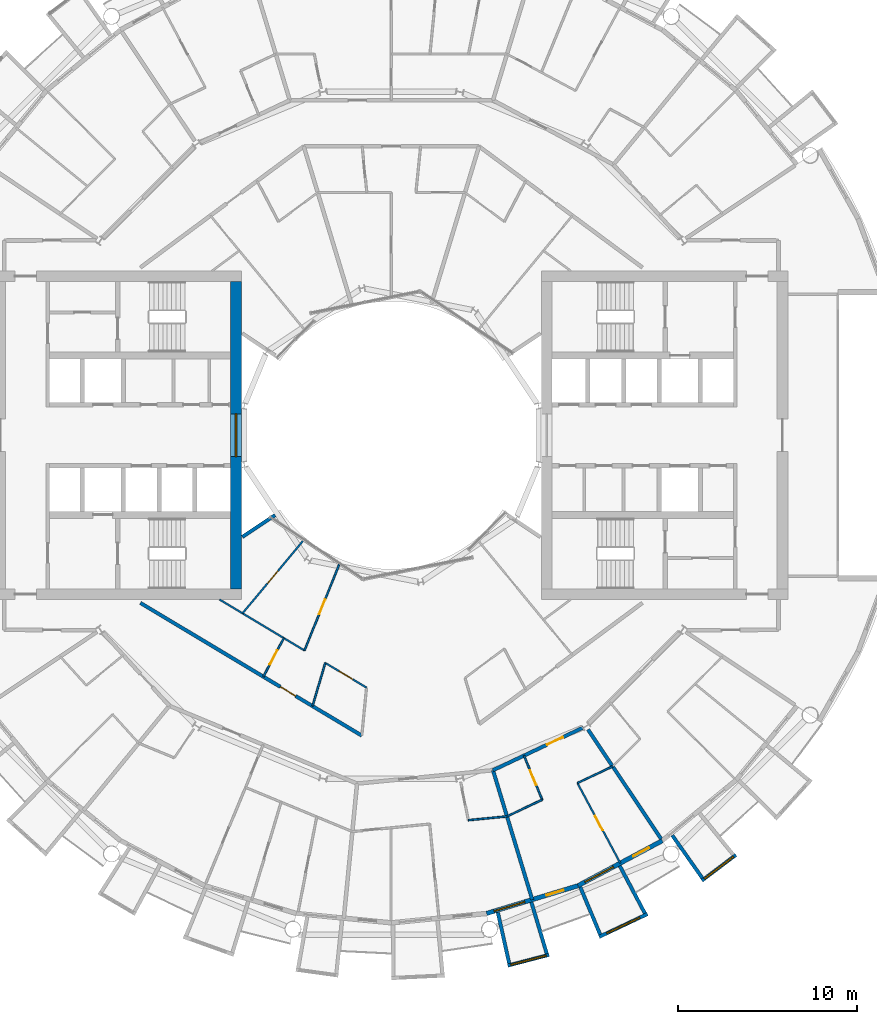
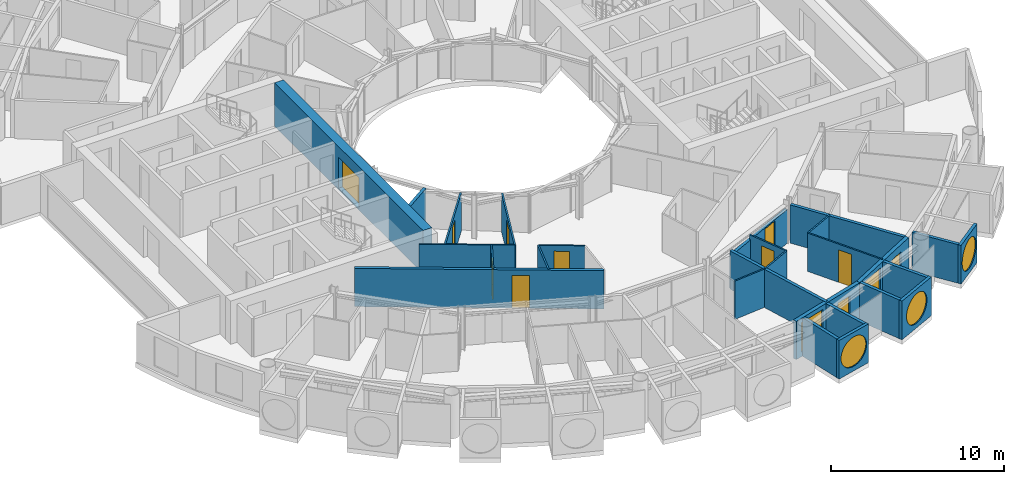
# One storey, part 16 of 27: 27 walls, 10 doors, 6 windows, 16 openings.
"""IFC4 building model written with IfcOpenShell, lengths in metres."""

from ifc_helpers import new_model, si_unit, direction, frame, frame_2d, origin, place, context, subcontext, project, spatial, rectangle, circle, extrude, material, layer, layer_set, type_object, element, fill, save


model = new_model("IFC4")

# Units and contexts
model_context = context("Model", 3, precision=1e-05, world=origin(), true_north=direction((0.0, 1.0)))
body_context = subcontext(model_context, "Body", "Model", "MODEL_VIEW")
ifc_project = project(units=[si_unit("LENGTHUNIT", "METRE"), si_unit("AREAUNIT", "SQUARE_METRE"), si_unit("VOLUMEUNIT", "CUBIC_METRE"), si_unit("PLANEANGLEUNIT", "RADIAN"), si_unit("MASSUNIT", "GRAM", prefix="KILO")], contexts=[model_context])

# Site, building, storey
site_placement = place(None, origin())
site = spatial("IfcSite", under=ifc_project, at=site_placement, CompositionType="ELEMENT")
building_placement = place(site_placement, origin())
building = spatial("IfcBuilding", under=site, at=building_placement, Name="Maasbend Ring Residences", CompositionType="ELEMENT")
storey_placement = place(building_placement, frame((0.0, 0.0, 117.75)))
storey = spatial("IfcBuildingStorey", under=building, at=storey_placement, Name="L33", CompositionType="ELEMENT", Elevation=117.75)

# Wall, opening, window
ifc_material_1 = material(Name="Concrete C60/75", Category="concrete")
ifc_layer_1 = layer(ifc_material_1, 0.60009765625)
ifc_layer_set_1 = layer_set([ifc_layer_1], Name="Concrete C60/75")
wall_type_1 = type_object("IfcWallType", Name="CORE WALL 600 C60/75", PredefinedType="SHEAR", material=ifc_layer_set_1)
wall_1_placement = place(storey_placement, frame((-8.699951171875, 8.60009765625, 0.0), z_axis=(0.0, 0.0, 1.0), x_axis=(0.0, -1.0, 0.0)))
wall_1 = element("IfcWall", 1, at=wall_1_placement, inside=storey, type_object=wall_type_1, Name="L33 core W wall PIN", PredefinedType="SHEAR", context=body_context, shape_type="SweptSolid", body=[
    extrude(rectangle(XDim=17.2001953125, YDim=0.60009765625, at=frame_2d((8.60009765625, 0.0))), origin(), (0.0, 0.0, 1.0), 3.050048828125),
])
opening_1_placement = place(wall_1_placement, frame((7.39990234375, 0.0, 0.10009765625)))
opening_1 = element("IfcOpeningElement", 2, at=opening_1_placement, cuts=wall_1, Name="Opening W-W3301", PredefinedType="OPENING", context=body_context, shape_type="SweptSolid", body=[
    extrude(rectangle(XDim=2.39990234375, YDim=2.199951171875, at=frame_2d((1.199951171875, 1.10009765625))), frame((0.0, 0.31005859375, 0.0), z_axis=(0.0, -1.0, 0.0), x_axis=(1.0, 0.0, 0.0)), (0.0, 0.0, 1.0), 0.6201171875),
])
ifc_material_2 = material(Name="Aluminium frame and clear glass", Category="aluminium")
window_type_1 = type_object("IfcWindowType", Name="FIXED WINDOW 2400 X 2200", PartitioningType="SINGLE_PANEL", PredefinedType="WINDOW", material=ifc_material_2)
window_1_placement = place(opening_1_placement, origin())
window_1 = element("IfcWindow", 3, at=window_1_placement, inside=storey, type_object=window_type_1, Name="Lobby window L33", OverallHeight=2.199951171875, OverallWidth=2.39990234375, PartitioningType="SINGLE_PANEL", PredefinedType="WINDOW", context=body_context, shape_type="SweptSolid", body=[
    extrude(rectangle(XDim=2.39990234375, YDim=2.199951171875, at=frame_2d((1.199951171875, 1.10009765625))), frame((0.0, 0.030029296875, 0.0), z_axis=(0.0, -1.0, 0.0), x_axis=(1.0, 0.0, 0.0)), (0.0, 0.0, 1.0), 0.06005859375),
])
fill(opening_1, window_1)

# Wall, opening, door
ifc_material_3 = material(Name="Concrete C30/37", Category="concrete")
ifc_layer_2 = layer(ifc_material_3, 0.199951171875)
ifc_layer_set_2 = layer_set([ifc_layer_2], Name="Concrete C30/37")
wall_type_2 = type_object("IfcWallType", Name="CORRIDOR WALL 200 CONCRETE", PredefinedType="PARTITIONING", material=ifc_layer_set_2)
wall_2_placement = place(storey_placement, frame((5.68603515625, -18.758056640625, 0.0), z_axis=(0.0, 0.0, 1.0), x_axis=(0.903961383505, 0.427614098379, 0.0)))
wall_2 = element("IfcWall", 4, at=wall_2_placement, inside=storey, type_object=wall_type_2, Name="U-L33-w014", PredefinedType="PARTITIONING", context=body_context, shape_type="SweptSolid", body=[
    extrude(rectangle(XDim=5.600830078125, YDim=0.199951171875, at=frame_2d((2.80029296875, 0.0))), origin(), (0.0, 0.0, 1.0), 2.389892578125),
])
opening_2_placement = place(wall_2_placement, frame((3.339111328125, 0.0, 0.0)))
opening_2 = element("IfcOpeningElement", 5, at=opening_2_placement, cuts=wall_2, Name="Opening D-3346", PredefinedType="OPENING", context=body_context, shape_type="SweptSolid", body=[
    extrude(rectangle(XDim=1.0, YDim=2.300048828125, at=frame_2d((0.5, 1.14990234375))), frame((0.0, 0.10986328125, 0.0), z_axis=(0.0, -1.0, 0.0), x_axis=(1.0, 0.0, 0.0)), (0.0, 0.0, 1.0), 0.219970703125),
])
ifc_material_4 = material(Name="Timber, fire-rated, painted", Category="wood")
door_type_1 = type_object("IfcDoorType", Name="FLAT ENTRANCE DOOR 1000 X 2300 FIRE-RATED", OperationType="NOTDEFINED", PredefinedType="DOOR", material=ifc_material_4)
door_1_placement = place(opening_2_placement, origin())
door_1 = element("IfcDoor", 6, at=door_1_placement, inside=storey, type_object=door_type_1, Name="D-3346", OperationType="SINGLE_SWING_RIGHT", OverallHeight=2.300048828125, OverallWidth=1.0, PredefinedType="DOOR", context=body_context, shape_type="SweptSolid", body=[
    extrude(rectangle(XDim=1.0, YDim=2.300048828125, at=frame_2d((0.5, 1.14990234375))), frame((0.0, 0.02490234375, 0.0), z_axis=(0.0, -1.0, 0.0), x_axis=(1.0, 0.0, 0.0)), (0.0, 0.0, 1.0), 0.050048828125),
])
fill(opening_2, door_1)

wall_3_placement = place(storey_placement, frame((-14.051025390625, -9.39111328125, 0.0), z_axis=(0.0, 0.0, 1.0), x_axis=(0.857768591583, -0.514036033069, 0.0)))
wall_3 = element("IfcWall", 7, at=wall_3_placement, inside=storey, type_object=wall_type_2, Name="U-L33-w019", PredefinedType="PARTITIONING", context=body_context, shape_type="SweptSolid", body=[
    extrude(rectangle(XDim=14.4501953125, YDim=0.199951171875, at=frame_2d((7.22509765625, 0.0))), origin(), (0.0, 0.0, 1.0), 2.699951171875),
])
opening_3_placement = place(wall_3_placement, frame((9.133056640625, 0.0, 0.0)))
opening_3 = element("IfcOpeningElement", 8, at=opening_3_placement, cuts=wall_3, Name="Opening D-3353", PredefinedType="OPENING", context=body_context, shape_type="SweptSolid", body=[
    extrude(rectangle(XDim=1.0, YDim=2.300048828125, at=frame_2d((0.5, 1.14990234375))), frame((0.0, 0.10986328125, 0.0), z_axis=(0.0, -1.0, 0.0), x_axis=(1.0, 0.0, 0.0)), (0.0, 0.0, 1.0), 0.219970703125),
])
door_2_placement = place(opening_3_placement, origin())
door_2 = element("IfcDoor", 9, at=door_2_placement, inside=storey, type_object=door_type_1, Name="D-3353", OperationType="SINGLE_SWING_RIGHT", OverallHeight=2.300048828125, OverallWidth=1.0, PredefinedType="DOOR", context=body_context, shape_type="SweptSolid", body=[
    extrude(rectangle(XDim=1.0, YDim=2.300048828125, at=frame_2d((0.5, 1.14990234375))), frame((0.0, 0.02490234375, 0.0), z_axis=(0.0, -1.0, 0.0), x_axis=(1.0, 0.0, 0.0)), (0.0, 0.0, 1.0), 0.050048828125),
])
fill(opening_3, door_2)

# Wall, opening, window
ifc_material_5 = material(Name="Pale anodised aluminium panel", Category="aluminium")
ifc_layer_3 = layer(ifc_material_5, 0.199951171875)
ifc_layer_set_3 = layer_set([ifc_layer_3], Name="EW-BOX")
wall_type_3 = type_object("IfcWallType", Name="EW-BOX", PredefinedType="SOLIDWALL", material=ifc_layer_set_3)
wall_4_placement = place(storey_placement, frame((6.514892578125, -29.694091796875, -0.030029296875), z_axis=(0.0, 0.0, 1.0), x_axis=(0.967554339146, 0.252663018266, 0.0)))
wall_4 = element("IfcWall", 10, at=wall_4_placement, inside=storey, type_object=wall_type_3, Name="Box front S13", PredefinedType="SOLIDWALL", context=body_context, shape_type="SweptSolid", body=[
    extrude(rectangle(XDim=2.390625, YDim=0.199951171875, at=frame_2d((1.1953125, 0.0))), origin(), (0.0, 0.0, 1.0), 2.72998046875),
])
opening_4_placement = place(wall_4_placement, frame((0.15576171875, 0.0, 0.330078125)))
opening_4 = element("IfcOpeningElement", 11, at=opening_4_placement, cuts=wall_4, Name="Opening W-RD", PredefinedType="OPENING", context=body_context, shape_type="SweptSolid", body=[
    extrude(circle(Radius=1.0400390625, at=frame_2d((1.0400390625, 1.0400390625))), frame((0.0, 0.10986328125, 0.0), z_axis=(0.0, -1.0, 0.0), x_axis=(1.0, 0.0, 0.0)), (0.0, 0.0, 1.0), 0.219970703125),
])
ifc_material_6 = material(Name="Aluminium and clear glass", Category="aluminium")
window_type_2 = type_object("IfcWindowType", Name="W-RD", PartitioningType="SINGLE_PANEL", PredefinedType="WINDOW", material=ifc_material_6)
window_2_placement = place(opening_4_placement, origin())
window_2 = element("IfcWindow", 12, at=window_2_placement, inside=storey, type_object=window_type_2, Name="Round window S13", OverallHeight=2.080078125, OverallWidth=2.080078125, PartitioningType="SINGLE_PANEL", PredefinedType="WINDOW", context=body_context, shape_type="SweptSolid", body=[
    extrude(circle(Radius=1.0400390625, at=frame_2d((1.0400390625, 1.0400390625))), frame((0.0, 0.030029296875, 0.0), z_axis=(0.0, -1.0, 0.0), x_axis=(1.0, 0.0, 0.0)), (0.0, 0.0, 1.0), 0.06005859375),
])
fill(opening_4, window_2)

# Walls
wall_5_placement = place(storey_placement, frame((5.95703125, -26.715087890625, -0.030029296875), z_axis=(0.0, 0.0, 1.0), x_axis=(0.217857287091, -0.975980636315, 0.0)))
element("IfcWall", 13, at=wall_5_placement, inside=storey, type_object=wall_type_3, Name="Box side wall S13 left", PredefinedType="SOLIDWALL", context=body_context, shape_type="SweptSolid", body=[
    extrude(rectangle(XDim=2.92822265625, YDim=0.199951171875, at=frame_2d((1.464111328125, 0.0))), origin(), (0.0, 0.0, 1.0), 2.72998046875),
])
wall_6_placement = place(storey_placement, frame((7.8369140625, -26.14404296875, -0.030029296875), z_axis=(0.0, 0.0, 1.0), x_axis=(0.287064767992, -0.957911174889, 0.0)))
element("IfcWall", 14, at=wall_6_placement, inside=storey, type_object=wall_type_3, Name="Box side wall S13 right", PredefinedType="SOLIDWALL", context=body_context, shape_type="SweptSolid", body=[
    extrude(rectangle(XDim=3.00634765625, YDim=0.199951171875, at=frame_2d((1.503173828125, 0.0))), origin(), (0.0, 0.0, 1.0), 2.72998046875),
])

# Wall, opening, window
wall_7_placement = place(storey_placement, frame((11.62890625, -28.087890625, -0.030029296875), z_axis=(0.0, 0.0, 1.0), x_axis=(0.904000060331, 0.427532327342, 0.0)))
wall_7 = element("IfcWall", 15, at=wall_7_placement, inside=storey, type_object=wall_type_3, Name="Box front S15", PredefinedType="SOLIDWALL", context=body_context, shape_type="SweptSolid", body=[
    extrude(rectangle(XDim=2.993408203125, YDim=0.199951171875, at=frame_2d((1.49658203125, 0.0))), origin(), (0.0, 0.0, 1.0), 2.72998046875),
])
opening_5_placement = place(wall_7_placement, frame((0.45654296875, 0.0, 0.330078125)))
opening_5 = element("IfcOpeningElement", 16, at=opening_5_placement, cuts=wall_7, Name="Opening W-RD", PredefinedType="OPENING", context=body_context, shape_type="SweptSolid", body=[
    extrude(circle(Radius=1.0400390625, at=frame_2d((1.0400390625, 1.0400390625))), frame((0.0, 0.10986328125, 0.0), z_axis=(0.0, -1.0, 0.0), x_axis=(1.0, 0.0, 0.0)), (0.0, 0.0, 1.0), 0.219970703125),
])
window_3_placement = place(opening_5_placement, origin())
window_3 = element("IfcWindow", 17, at=window_3_placement, inside=storey, type_object=window_type_2, Name="Round window S15", OverallHeight=2.080078125, OverallWidth=2.080078125, PartitioningType="SINGLE_PANEL", PredefinedType="WINDOW", context=body_context, shape_type="SweptSolid", body=[
    extrude(circle(Radius=1.0400390625, at=frame_2d((1.0400390625, 1.0400390625))), frame((0.0, 0.030029296875, 0.0), z_axis=(0.0, -1.0, 0.0), x_axis=(1.0, 0.0, 0.0)), (0.0, 0.0, 1.0), 0.06005859375),
])
fill(opening_5, window_3)

# Walls
wall_8_placement = place(storey_placement, frame((10.574951171875, -25.294921875, -0.030029296875), z_axis=(0.0, 0.0, 1.0), x_axis=(0.385697364644, -0.922625353492, 0.0)))
element("IfcWall", 18, at=wall_8_placement, inside=storey, type_object=wall_type_3, Name="Box side wall S15 left", PredefinedType="SOLIDWALL", context=body_context, shape_type="SweptSolid", body=[
    extrude(rectangle(XDim=2.88330078125, YDim=0.199951171875, at=frame_2d((1.441650390625, 0.0))), origin(), (0.0, 0.0, 1.0), 2.72998046875),
])
wall_9_placement = place(storey_placement, frame((12.787109375, -24.113037109375, -0.030029296875), z_axis=(0.0, 0.0, 1.0), x_axis=(0.468365282436, -0.883534924159, 0.0)))
element("IfcWall", 19, at=wall_9_placement, inside=storey, type_object=wall_type_3, Name="Box side wall S15 right", PredefinedType="SOLIDWALL", context=body_context, shape_type="SweptSolid", body=[
    extrude(rectangle(XDim=3.006103515625, YDim=0.199951171875, at=frame_2d((1.5029296875, 0.0))), origin(), (0.0, 0.0, 1.0), 2.72998046875),
])

# Wall, opening, window
wall_10_placement = place(storey_placement, frame((17.382080078125, -24.93994140625, -0.030029296875), z_axis=(0.0, 0.0, 1.0), x_axis=(0.797456837111, 0.603375996329, 0.0)))
wall_10 = element("IfcWall", 20, at=wall_10_placement, inside=storey, type_object=wall_type_3, Name="Box front S17", PredefinedType="SOLIDWALL", context=body_context, shape_type="SweptSolid", body=[
    extrude(rectangle(XDim=2.391357421875, YDim=0.199951171875, at=frame_2d((1.19580078125, 0.0))), origin(), (0.0, 0.0, 1.0), 2.72998046875),
])
opening_6_placement = place(wall_10_placement, frame((0.15576171875, 0.0, 0.330078125)))
opening_6 = element("IfcOpeningElement", 21, at=opening_6_placement, cuts=wall_10, Name="Opening W-RD", PredefinedType="OPENING", context=body_context, shape_type="SweptSolid", body=[
    extrude(circle(Radius=1.0400390625, at=frame_2d((1.0400390625, 1.0400390625))), frame((0.0, 0.10986328125, 0.0), z_axis=(0.0, -1.0, 0.0), x_axis=(1.0, 0.0, 0.0)), (0.0, 0.0, 1.0), 0.219970703125),
])
window_4_placement = place(opening_6_placement, origin())
window_4 = element("IfcWindow", 22, at=window_4_placement, inside=storey, type_object=window_type_2, Name="Round window S17", OverallHeight=2.080078125, OverallWidth=2.080078125, PartitioningType="SINGLE_PANEL", PredefinedType="WINDOW", context=body_context, shape_type="SweptSolid", body=[
    extrude(circle(Radius=1.0400390625, at=frame_2d((1.0400390625, 1.0400390625))), frame((0.0, 0.030029296875, 0.0), z_axis=(0.0, -1.0, 0.0), x_axis=(1.0, 0.0, 0.0)), (0.0, 0.0, 1.0), 0.06005859375),
])
fill(opening_6, window_4)

# Wall
wall_11_placement = place(storey_placement, frame((15.72607421875, -22.402099609375, -0.030029296875), z_axis=(0.0, 0.0, 1.0), x_axis=(0.574826383135, -0.818275399393, 0.0)))
element("IfcWall", 23, at=wall_11_placement, inside=storey, type_object=wall_type_3, Name="Box side wall S17 left", PredefinedType="SOLIDWALL", context=body_context, shape_type="SweptSolid", body=[
    extrude(rectangle(XDim=2.92919921875, YDim=0.199951171875, at=frame_2d((1.464599609375, 0.0))), origin(), (0.0, 0.0, 1.0), 2.72998046875),
])

# Wall, openings, door, window
ifc_material_7 = material(Name="Aluminium clad insulated panel", Category="aluminium")
ifc_layer_4 = layer(ifc_material_7, 0.25)
ifc_layer_set_4 = layer_set([ifc_layer_4], Name="EW-GL")
wall_type_4 = type_object("IfcWallType", Name="EW-GL", PredefinedType="SOLIDWALL", material=ifc_layer_set_4)
wall_12_placement = place(storey_placement, frame((5.325927734375, -26.77490234375, 0.0), z_axis=(0.0, 0.0, 1.0), x_axis=(0.956965678721, 0.290201119486, 0.0)))
wall_12 = element("IfcWall", 24, at=wall_12_placement, inside=storey, type_object=wall_type_4, Name="External wall S07", PredefinedType="SOLIDWALL", context=body_context, shape_type="SweptSolid", body=[
    extrude(rectangle(XDim=5.351318359375, YDim=0.25, at=frame_2d((2.67578125, 0.0))), origin(), (0.0, 0.0, 1.0), 2.699951171875),
])
opening_7_placement = place(wall_12_placement, frame((0.441162109375, 0.0, 0.300048828125)))
opening_7 = element("IfcOpeningElement", 25, at=opening_7_placement, cuts=wall_12, Name="Opening W-BX", PredefinedType="OPENING", context=body_context, shape_type="SweptSolid", body=[
    extrude(rectangle(XDim=1.800048828125, YDim=2.10009765625, at=frame_2d((0.89990234375, 1.050048828125))), frame((0.0, 0.135009765625, 0.0), z_axis=(0.0, -1.0, 0.0), x_axis=(1.0, 0.0, 0.0)), (0.0, 0.0, 1.0), 0.27001953125),
])
opening_8_placement = place(wall_12_placement, frame((3.510498046875, 0.0, 0.0)))
opening_8 = element("IfcOpeningElement", 26, at=opening_8_placement, cuts=wall_12, Name="Opening D-LG", PredefinedType="OPENING", context=body_context, shape_type="SweptSolid", body=[
    extrude(rectangle(XDim=1.0, YDim=2.199951171875, at=frame_2d((0.5, 1.10009765625))), frame((0.0, 0.135009765625, 0.0), z_axis=(0.0, -1.0, 0.0), x_axis=(1.0, 0.0, 0.0)), (0.0, 0.0, 1.0), 0.27001953125),
])
ifc_material_8 = material(Name="Aluminium and clear glass", Category="aluminium")
door_type_2 = type_object("IfcDoorType", Name="D-LG", OperationType="SINGLE_SWING_LEFT", PredefinedType="DOOR", material=ifc_material_8)
door_3_placement = place(opening_8_placement, origin())
door_3 = element("IfcDoor", 27, at=door_3_placement, inside=storey, type_object=door_type_2, Name="Loggia door S14", OperationType="SINGLE_SWING_LEFT", OverallHeight=2.199951171875, OverallWidth=1.0, PredefinedType="DOOR", context=body_context, shape_type="SweptSolid", body=[
    extrude(rectangle(XDim=1.0, YDim=2.199951171875, at=frame_2d((0.5, 1.10009765625))), frame((0.0, 0.02490234375, 0.0), z_axis=(0.0, -1.0, 0.0), x_axis=(1.0, 0.0, 0.0)), (0.0, 0.0, 1.0), 0.050048828125),
])
fill(opening_8, door_3)
ifc_material_9 = material(Name="Aluminium and clear glass", Category="aluminium")
window_type_3 = type_object("IfcWindowType", Name="W-BX", PartitioningType="DOUBLE_PANEL_VERTICAL", PredefinedType="WINDOW", material=ifc_material_9)
window_5_placement = place(opening_7_placement, origin())
window_5 = element("IfcWindow", 28, at=window_5_placement, inside=storey, type_object=window_type_3, Name="Window S13 room to box", OverallHeight=2.10009765625, OverallWidth=1.800048828125, PartitioningType="SINGLE_PANEL", PredefinedType="WINDOW", context=body_context, shape_type="SweptSolid", body=[
    extrude(rectangle(XDim=1.800048828125, YDim=2.10009765625, at=frame_2d((0.89990234375, 1.050048828125))), frame((0.0, 0.030029296875, 0.0), z_axis=(0.0, -1.0, 0.0), x_axis=(1.0, 0.0, 0.0)), (0.0, 0.0, 1.0), 0.06005859375),
])
fill(opening_7, window_5)

wall_13_placement = place(storey_placement, frame((10.447021484375, -25.221923828125, 0.0), z_axis=(0.0, 0.0, 1.0), x_axis=(0.881915646801, 0.471407246368, 0.0)))
wall_13 = element("IfcWall", 29, at=wall_13_placement, inside=storey, type_object=wall_type_4, Name="External wall S08", PredefinedType="SOLIDWALL", context=body_context, shape_type="SweptSolid", body=[
    extrude(rectangle(XDim=5.35205078125, YDim=0.25, at=frame_2d((2.676025390625, 0.0))), origin(), (0.0, 0.0, 1.0), 2.699951171875),
])
opening_9_placement = place(wall_13_placement, frame((0.441162109375, 0.0, 0.300048828125)))
opening_9 = element("IfcOpeningElement", 30, at=opening_9_placement, cuts=wall_13, Name="Opening W-BX", PredefinedType="OPENING", context=body_context, shape_type="SweptSolid", body=[
    extrude(rectangle(XDim=1.800048828125, YDim=2.10009765625, at=frame_2d((0.89990234375, 1.050048828125))), frame((0.0, 0.135009765625, 0.0), z_axis=(0.0, -1.0, 0.0), x_axis=(1.0, 0.0, 0.0)), (0.0, 0.0, 1.0), 0.27001953125),
])
opening_10_placement = place(wall_13_placement, frame((3.510498046875, 0.0, 0.0)))
opening_10 = element("IfcOpeningElement", 31, at=opening_10_placement, cuts=wall_13, Name="Opening D-LG", PredefinedType="OPENING", context=body_context, shape_type="SweptSolid", body=[
    extrude(rectangle(XDim=1.0, YDim=2.199951171875, at=frame_2d((0.5, 1.10009765625))), frame((0.0, 0.135009765625, 0.0), z_axis=(0.0, -1.0, 0.0), x_axis=(1.0, 0.0, 0.0)), (0.0, 0.0, 1.0), 0.27001953125),
])
door_4_placement = place(opening_10_placement, origin())
door_4 = element("IfcDoor", 32, at=door_4_placement, inside=storey, type_object=door_type_2, Name="Loggia door S16", OperationType="SINGLE_SWING_LEFT", OverallHeight=2.199951171875, OverallWidth=1.0, PredefinedType="DOOR", context=body_context, shape_type="SweptSolid", body=[
    extrude(rectangle(XDim=1.0, YDim=2.199951171875, at=frame_2d((0.5, 1.10009765625))), frame((0.0, 0.02490234375, 0.0), z_axis=(0.0, -1.0, 0.0), x_axis=(1.0, 0.0, 0.0)), (0.0, 0.0, 1.0), 0.050048828125),
])
fill(opening_10, door_4)
window_6_placement = place(opening_9_placement, origin())
window_6 = element("IfcWindow", 33, at=window_6_placement, inside=storey, type_object=window_type_3, Name="Window S15 room to box", OverallHeight=2.10009765625, OverallWidth=1.800048828125, PartitioningType="SINGLE_PANEL", PredefinedType="WINDOW", context=body_context, shape_type="SweptSolid", body=[
    extrude(rectangle(XDim=1.800048828125, YDim=2.10009765625, at=frame_2d((0.89990234375, 1.050048828125))), frame((0.0, 0.030029296875, 0.0), z_axis=(0.0, -1.0, 0.0), x_axis=(1.0, 0.0, 0.0)), (0.0, 0.0, 1.0), 0.06005859375),
])
fill(opening_9, window_6)

# Walls
ifc_material_10 = material(Name="Gypsum board on steel studs", Category="steel")
ifc_layer_5 = layer(ifc_material_10, 0.10009765625)
ifc_layer_set_5 = layer_set([ifc_layer_5], Name="PARTITION 100 GYPSUM")
wall_type_5 = type_object("IfcWallType", Name="PARTITION 100 GYPSUM", PredefinedType="PARTITIONING", material=ifc_layer_set_5)
wall_14_placement = place(storey_placement, frame((6.472900390625, -21.340087890625, 0.0), z_axis=(0.0, 0.0, 1.0), x_axis=(0.903929143338, 0.427682246328, 0.0)))
element("IfcWall", 34, at=wall_14_placement, inside=storey, type_object=wall_type_5, Name="U-L33-w003", PredefinedType="PARTITIONING", context=body_context, shape_type="SweptSolid", body=[
    extrude(rectangle(XDim=2.181884765625, YDim=0.10009765625, at=frame_2d((1.0908203125, 0.0))), origin(), (0.0, 0.0, 1.0), 2.699951171875),
])
wall_15_placement = place(storey_placement, frame((10.425048828125, -19.469970703125, 0.0), z_axis=(0.0, 0.0, 1.0), x_axis=(0.903951937529, 0.427634066274, 0.0)))
element("IfcWall", 35, at=wall_15_placement, inside=storey, type_object=wall_type_5, Name="U-L33-w004", PredefinedType="PARTITIONING", context=body_context, shape_type="SweptSolid", body=[
    extrude(rectangle(XDim=2.181396484375, YDim=0.10009765625, at=frame_2d((1.0908203125, 0.0))), origin(), (0.0, 0.0, 1.0), 2.699951171875),
])
wall_16_placement = place(storey_placement, frame((4.31103515625, -21.552978515625, 0.0), z_axis=(0.0, 0.0, 1.0), x_axis=(0.995195976339, 0.097902853268, 0.0)))
element("IfcWall", 36, at=wall_16_placement, inside=storey, type_object=wall_type_5, Name="U-L33-w006", PredefinedType="PARTITIONING", context=body_context, shape_type="SweptSolid", body=[
    extrude(rectangle(XDim=2.174560546875, YDim=0.10009765625, at=frame_2d((1.08740234375, 0.0))), origin(), (0.0, 0.0, 1.0), 2.699951171875),
])
wall_17_placement = place(storey_placement, frame((-9.62109375, -9.198974609375, 0.0), z_axis=(0.0, 0.0, 1.0), x_axis=(0.857698539053, -0.514152911211, 0.0)))
element("IfcWall", 37, at=wall_17_placement, inside=storey, type_object=wall_type_5, Name="U-L33-w022", PredefinedType="PARTITIONING", context=body_context, shape_type="SweptSolid", body=[
    extrude(rectangle(XDim=5.55078125, YDim=0.10009765625, at=frame_2d((2.775390625, 0.0))), origin(), (0.0, 0.0, 1.0), 2.699951171875),
])

# Wall, opening, door
wall_18_placement = place(storey_placement, frame((-3.701904296875, -12.7470703125, 0.0), z_axis=(0.0, 0.0, 1.0), x_axis=(0.85772440305, -0.514109763001, 0.0)))
wall_18 = element("IfcWall", 38, at=wall_18_placement, inside=storey, type_object=wall_type_5, Name="U-L33-w023", PredefinedType="PARTITIONING", context=body_context, shape_type="SweptSolid", body=[
    extrude(rectangle(XDim=2.69775390625, YDim=0.10009765625, at=frame_2d((1.348876953125, 0.0))), origin(), (0.0, 0.0, 1.0), 2.699951171875),
])
opening_11_placement = place(wall_18_placement, frame((0.89404296875, 0.0, 0.0)))
opening_11 = element("IfcOpeningElement", 39, at=opening_11_placement, cuts=wall_18, Name="Opening D-3354", PredefinedType="OPENING", context=body_context, shape_type="SweptSolid", body=[
    extrude(rectangle(XDim=0.89990234375, YDim=2.300048828125, at=frame_2d((0.449951171875, 1.14990234375))), frame((0.0, 0.06005859375, 0.0), z_axis=(0.0, -1.0, 0.0), x_axis=(1.0, 0.0, 0.0)), (0.0, 0.0, 1.0), 0.1201171875),
])
ifc_material_11 = material(Name="Timber, painted", Category="wood")
door_type_3 = type_object("IfcDoorType", Name="INTERNAL DOOR 900 X 2300", OperationType="NOTDEFINED", PredefinedType="DOOR", material=ifc_material_11)
door_5_placement = place(opening_11_placement, origin())
door_5 = element("IfcDoor", 40, at=door_5_placement, inside=storey, type_object=door_type_3, Name="D-3354", OperationType="SINGLE_SWING_LEFT", OverallHeight=2.300048828125, OverallWidth=0.89990234375, PredefinedType="DOOR", context=body_context, shape_type="SweptSolid", body=[
    extrude(rectangle(XDim=0.89990234375, YDim=2.300048828125, at=frame_2d((0.449951171875, 1.14990234375))), frame((0.0, 0.02490234375, 0.0), z_axis=(0.0, -1.0, 0.0), x_axis=(1.0, 0.0, 0.0)), (0.0, 0.0, 1.0), 0.050048828125),
])
fill(opening_11, door_5)

wall_19_placement = place(storey_placement, frame((-8.3349609375, -9.969970703125, 0.0), z_axis=(0.0, 0.0, 1.0), x_axis=(0.641376424834, 0.767226356213, 0.0)))
wall_19 = element("IfcWall", 41, at=wall_19_placement, inside=storey, type_object=wall_type_5, Name="U-L33-w046", PredefinedType="PARTITIONING", context=body_context, shape_type="SweptSolid", body=[
    extrude(rectangle(XDim=5.274658203125, YDim=0.10009765625, at=frame_2d((2.63720703125, 0.0))), origin(), (0.0, 0.0, 1.0), 2.699951171875),
])
opening_12_placement = place(wall_19_placement, frame((2.18701171875, 0.0, 0.0)))
opening_12 = element("IfcOpeningElement", 42, at=opening_12_placement, cuts=wall_19, Name="Opening D-3357", PredefinedType="OPENING", context=body_context, shape_type="SweptSolid", body=[
    extrude(rectangle(XDim=0.89990234375, YDim=2.300048828125, at=frame_2d((0.449951171875, 1.14990234375))), frame((0.0, 0.06005859375, 0.0), z_axis=(0.0, -1.0, 0.0), x_axis=(1.0, 0.0, 0.0)), (0.0, 0.0, 1.0), 0.1201171875),
])
door_6_placement = place(opening_12_placement, origin())
door_6 = element("IfcDoor", 43, at=door_6_placement, inside=storey, type_object=door_type_3, Name="D-3357", OperationType="SINGLE_SWING_RIGHT", OverallHeight=2.300048828125, OverallWidth=0.89990234375, PredefinedType="DOOR", context=body_context, shape_type="SweptSolid", body=[
    extrude(rectangle(XDim=0.89990234375, YDim=2.300048828125, at=frame_2d((0.449951171875, 1.14990234375))), frame((0.0, 0.02490234375, 0.0), z_axis=(0.0, -1.0, 0.0), x_axis=(1.0, 0.0, 0.0)), (0.0, 0.0, 1.0), 0.050048828125),
])
fill(opening_12, door_6)

wall_20_placement = place(storey_placement, frame((-7.166015625, -13.51708984375, 0.0), z_axis=(0.0, 0.0, 1.0), x_axis=(0.468337293896, 0.883549760425, 0.0)))
wall_20 = element("IfcWall", 44, at=wall_20_placement, inside=storey, type_object=wall_type_5, Name="U-L33-w049", PredefinedType="PARTITIONING", context=body_context, shape_type="SweptSolid", body=[
    extrude(rectangle(XDim=2.44482421875, YDim=0.10009765625, at=frame_2d((1.222412109375, 0.0))), origin(), (0.0, 0.0, 1.0), 2.699951171875),
])
opening_13_placement = place(wall_20_placement, frame((0.77197265625, 0.0, 0.0)))
opening_13 = element("IfcOpeningElement", 45, at=opening_13_placement, cuts=wall_20, Name="Opening D-3355", PredefinedType="OPENING", context=body_context, shape_type="SweptSolid", body=[
    extrude(rectangle(XDim=0.89990234375, YDim=2.300048828125, at=frame_2d((0.449951171875, 1.14990234375))), frame((0.0, 0.06005859375, 0.0), z_axis=(0.0, -1.0, 0.0), x_axis=(1.0, 0.0, 0.0)), (0.0, 0.0, 1.0), 0.1201171875),
])
door_7_placement = place(opening_13_placement, origin())
door_7 = element("IfcDoor", 46, at=door_7_placement, inside=storey, type_object=door_type_3, Name="D-3355", OperationType="SINGLE_SWING_LEFT", OverallHeight=2.300048828125, OverallWidth=0.89990234375, PredefinedType="DOOR", context=body_context, shape_type="SweptSolid", body=[
    extrude(rectangle(XDim=0.89990234375, YDim=2.300048828125, at=frame_2d((0.449951171875, 1.14990234375))), frame((0.0, 0.02490234375, 0.0), z_axis=(0.0, -1.0, 0.0), x_axis=(1.0, 0.0, 0.0)), (0.0, 0.0, 1.0), 0.050048828125),
])
fill(opening_13, door_7)

wall_21_placement = place(storey_placement, frame((-4.864013671875, -12.051025390625, 0.0), z_axis=(0.0, 0.0, 1.0), x_axis=(0.374372761824, 0.927278294367, 0.0)))
wall_21 = element("IfcWall", 47, at=wall_21_placement, inside=storey, type_object=wall_type_5, Name="U-L33-w051", PredefinedType="PARTITIONING", context=body_context, shape_type="SweptSolid", body=[
    extrude(rectangle(XDim=5.275634765625, YDim=0.10009765625, at=frame_2d((2.6376953125, 0.0))), origin(), (0.0, 0.0, 1.0), 2.699951171875),
])
opening_14_placement = place(wall_21_placement, frame((2.18798828125, 0.0, 0.0)))
opening_14 = element("IfcOpeningElement", 48, at=opening_14_placement, cuts=wall_21, Name="Opening D-3356", PredefinedType="OPENING", context=body_context, shape_type="SweptSolid", body=[
    extrude(rectangle(XDim=0.89990234375, YDim=2.300048828125, at=frame_2d((0.449951171875, 1.14990234375))), frame((0.0, 0.06005859375, 0.0), z_axis=(0.0, -1.0, 0.0), x_axis=(1.0, 0.0, 0.0)), (0.0, 0.0, 1.0), 0.1201171875),
])
door_8_placement = place(opening_14_placement, origin())
door_8 = element("IfcDoor", 49, at=door_8_placement, inside=storey, type_object=door_type_3, Name="D-3356", OperationType="SINGLE_SWING_RIGHT", OverallHeight=2.300048828125, OverallWidth=0.89990234375, PredefinedType="DOOR", context=body_context, shape_type="SweptSolid", body=[
    extrude(rectangle(XDim=0.89990234375, YDim=2.300048828125, at=frame_2d((0.449951171875, 1.14990234375))), frame((0.0, 0.02490234375, 0.0), z_axis=(0.0, -1.0, 0.0), x_axis=(1.0, 0.0, 0.0)), (0.0, 0.0, 1.0), 0.050048828125),
])
fill(opening_14, door_8)

# Wall
wall_22_placement = place(storey_placement, frame((-4.410888671875, -15.16796875, 0.0), z_axis=(0.0, 0.0, 1.0), x_axis=(0.279201466266, 0.960232545395, 0.0)))
element("IfcWall", 50, at=wall_22_placement, inside=storey, type_object=wall_type_5, Name="U-L33-w052", PredefinedType="PARTITIONING", context=body_context, shape_type="SweptSolid", body=[
    extrude(rectangle(XDim=2.5244140625, YDim=0.10009765625, at=frame_2d((1.26220703125, 0.0))), origin(), (0.0, 0.0, 1.0), 2.699951171875),
])

# Wall, opening, door
wall_23_placement = place(storey_placement, frame((7.423095703125, -17.93603515625, 0.0), z_axis=(0.0, 0.0, 1.0), x_axis=(0.382195876364, -0.924081334132, 0.0)))
wall_23 = element("IfcWall", 51, at=wall_23_placement, inside=storey, type_object=wall_type_5, Name="U-L33-w069", PredefinedType="PARTITIONING", context=body_context, shape_type="SweptSolid", body=[
    extrude(rectangle(XDim=2.673828125, YDim=0.10009765625, at=frame_2d((1.3369140625, 0.0))), origin(), (0.0, 0.0, 1.0), 2.699951171875),
])
opening_15_placement = place(wall_23_placement, frame((0.886962890625, 0.0, 0.0)))
opening_15 = element("IfcOpeningElement", 52, at=opening_15_placement, cuts=wall_23, Name="Opening D-3347", PredefinedType="OPENING", context=body_context, shape_type="SweptSolid", body=[
    extrude(rectangle(XDim=0.89990234375, YDim=2.300048828125, at=frame_2d((0.449951171875, 1.14990234375))), frame((0.0, 0.06005859375, 0.0), z_axis=(0.0, -1.0, 0.0), x_axis=(1.0, 0.0, 0.0)), (0.0, 0.0, 1.0), 0.1201171875),
])
door_9_placement = place(opening_15_placement, origin())
door_9 = element("IfcDoor", 53, at=door_9_placement, inside=storey, type_object=door_type_3, Name="D-3347", OperationType="SINGLE_SWING_RIGHT", OverallHeight=2.300048828125, OverallWidth=0.89990234375, PredefinedType="DOOR", context=body_context, shape_type="SweptSolid", body=[
    extrude(rectangle(XDim=0.89990234375, YDim=2.300048828125, at=frame_2d((0.449951171875, 1.14990234375))), frame((0.0, 0.02490234375, 0.0), z_axis=(0.0, -1.0, 0.0), x_axis=(1.0, 0.0, 0.0)), (0.0, 0.0, 1.0), 0.050048828125),
])
fill(opening_15, door_9)

wall_24_placement = place(storey_placement, frame((10.4169921875, -19.47412109375, 0.0), z_axis=(0.0, 0.0, 1.0), x_axis=(0.471755462896, -0.881729427448, 0.0)))
wall_24 = element("IfcWall", 54, at=wall_24_placement, inside=storey, type_object=wall_type_5, Name="U-L33-w072", PredefinedType="PARTITIONING", context=body_context, shape_type="SweptSolid", body=[
    extrude(rectangle(XDim=5.08984375, YDim=0.10009765625, at=frame_2d((2.544921875, 0.0))), origin(), (0.0, 0.0, 1.0), 2.699951171875),
])
opening_16_placement = place(wall_24_placement, frame((2.094970703125, 0.0, 0.0)))
opening_16 = element("IfcOpeningElement", 55, at=opening_16_placement, cuts=wall_24, Name="Opening D-3348", PredefinedType="OPENING", context=body_context, shape_type="SweptSolid", body=[
    extrude(rectangle(XDim=0.89990234375, YDim=2.300048828125, at=frame_2d((0.449951171875, 1.14990234375))), frame((0.0, 0.06005859375, 0.0), z_axis=(0.0, -1.0, 0.0), x_axis=(1.0, 0.0, 0.0)), (0.0, 0.0, 1.0), 0.1201171875),
])
door_10_placement = place(opening_16_placement, origin())
door_10 = element("IfcDoor", 56, at=door_10_placement, inside=storey, type_object=door_type_3, Name="D-3348", OperationType="SINGLE_SWING_LEFT", OverallHeight=2.300048828125, OverallWidth=0.89990234375, PredefinedType="DOOR", context=body_context, shape_type="SweptSolid", body=[
    extrude(rectangle(XDim=0.89990234375, YDim=2.300048828125, at=frame_2d((0.449951171875, 1.14990234375))), frame((0.0, 0.02490234375, 0.0), z_axis=(0.0, -1.0, 0.0), x_axis=(1.0, 0.0, 0.0)), (0.0, 0.0, 1.0), 0.050048828125),
])
fill(opening_16, door_10)

# Walls
ifc_material_12 = material(Name="Concrete C30/37", Category="concrete")
ifc_layer_6 = layer(ifc_material_12, 0.199951171875)
ifc_layer_set_6 = layer_set([ifc_layer_6], Name="Concrete C30/37")
wall_type_6 = type_object("IfcWallType", Name="PARTY WALL 200 CONCRETE", PredefinedType="PARTITIONING", material=ifc_layer_set_6)
wall_25_placement = place(storey_placement, frame((-6.512939453125, -4.471923828125, 0.0), z_axis=(0.0, 0.0, 1.0), x_axis=(-0.831333375071, -0.555774072347, 0.0)))
element("IfcWall", 57, at=wall_25_placement, inside=storey, type_object=wall_type_6, Name="U-L33-w026", PredefinedType="PARTITIONING", context=body_context, shape_type="SweptSolid", body=[
    extrude(rectangle(XDim=2.20263671875, YDim=0.199951171875, at=frame_2d((1.101318359375, 0.0))), origin(), (0.0, 0.0, 1.0), 2.699951171875),
])
wall_26_placement = place(storey_placement, frame((5.68896484375, -18.756103515625, 0.0), z_axis=(0.0, 0.0, 1.0), x_axis=(0.290294523619, -0.956937348815, 0.0)))
element("IfcWall", 58, at=wall_26_placement, inside=storey, type_object=wall_type_6, Name="U-L33-w066", PredefinedType="PARTITIONING", context=body_context, shape_type="SweptSolid", body=[
    extrude(rectangle(XDim=7.574951171875, YDim=0.199951171875, at=frame_2d((3.78759765625, 0.0))), origin(), (0.0, 0.0, 1.0), 2.699951171875),
])
wall_27_placement = place(storey_placement, frame((11.009033203125, -16.47705078125, 0.0), z_axis=(0.0, 0.0, 1.0), x_axis=(0.555664536482, -0.831406593008, 0.0)))
element("IfcWall", 59, at=wall_27_placement, inside=storey, type_object=wall_type_6, Name="U-L33-w073", PredefinedType="PARTITIONING", context=body_context, shape_type="SweptSolid", body=[
    extrude(rectangle(XDim=7.3583984375, YDim=0.199951171875, at=frame_2d((3.67919921875, 0.0))), origin(), (0.0, 0.0, 1.0), 2.699951171875),
])

save(model, "model.ifc")
